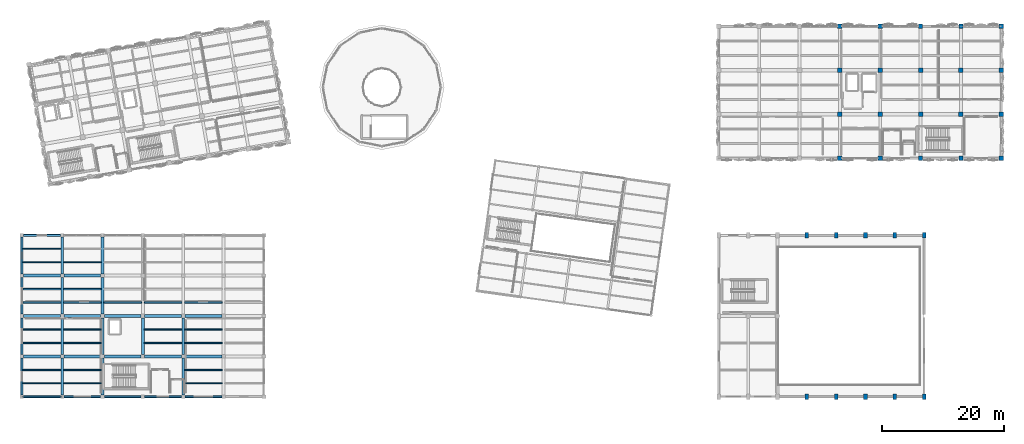
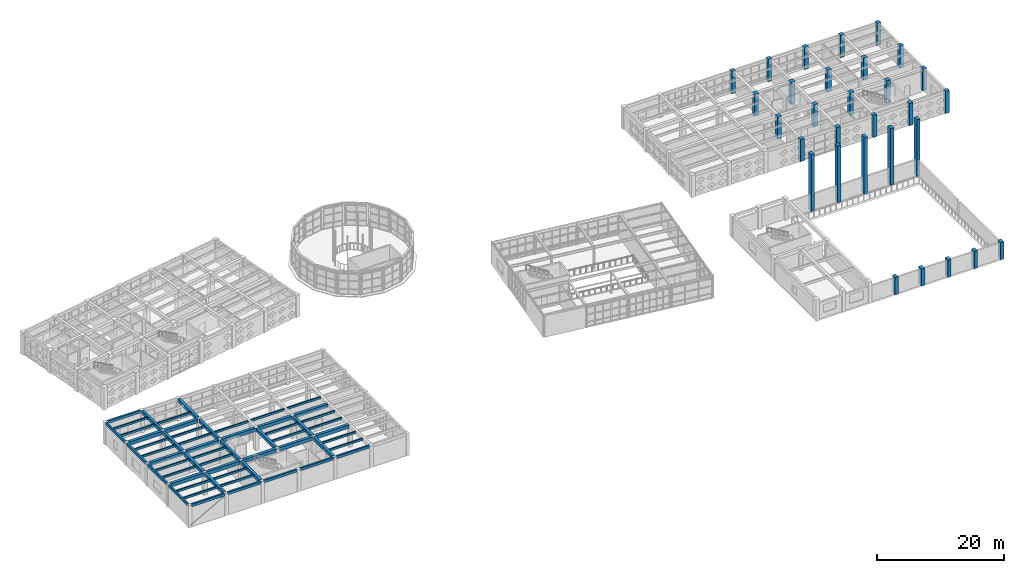
# One storey, part 10 of 80: 57 beams, 30 columns, 1 member.
"""IFC4 building model written with IfcOpenShell, lengths in metres."""

from ifc_helpers import new_model, si_unit, direction, frame, origin, origin_2d, place, context, subcontext, project, spatial, rectangle, hollow_rectangle, extrude, material, material_profile, profile_set, type_object, element, save


model = new_model("IFC4")

# Units and contexts
model_context = context("Model", 3, precision=1e-05, world=origin(), true_north=direction((0.0, 1.0)))
body_context = subcontext(model_context, "Body", "Model", "MODEL_VIEW")
ifc_project = project(units=[si_unit("LENGTHUNIT", "METRE"), si_unit("AREAUNIT", "SQUARE_METRE"), si_unit("VOLUMEUNIT", "CUBIC_METRE"), si_unit("PLANEANGLEUNIT", "RADIAN"), si_unit("MASSUNIT", "GRAM", prefix="KILO")], contexts=[model_context])

# Site, building, storey
site_placement = place(None, origin())
site = spatial("IfcSite", under=ifc_project, at=site_placement, CompositionType="ELEMENT")
building_placement = place(site_placement, origin())
building = spatial("IfcBuilding", under=site, at=building_placement, Name="Kharisveld Research Institute", CompositionType="ELEMENT")
storey_placement = place(building_placement, frame((0.0, 0.0, 5.10009765625)))
storey = spatial("IfcBuildingStorey", under=building, at=storey_placement, Name="L01", CompositionType="ELEMENT", Elevation=5.10009765625)

# Columns
ifc_material_1 = material(Name="Concrete C40/50", Category="concrete")
ifc_material_profile_1 = material_profile(ifc_material_1, rectangle(XDim=0.60009765625, YDim=0.89990234375, at=origin_2d()))
ifc_profile_set_1 = profile_set([ifc_material_profile_1], Name="Concrete C40/50")
column_type_1 = type_object("IfcColumnType", Name="COL_RC_600x900", PredefinedType="COLUMN", material=ifc_profile_set_1)
column_1_placement = place(storey_placement, frame((129.0, 0.199951171875, 0.0), z_axis=(0.0, 0.0, 1.0), x_axis=(1.0, 0.0, 0.0)))
element("IfcColumn", 1, at=column_1_placement, inside=storey, type_object=column_type_1, Name="COL:V5:L01:U3V0", PredefinedType="COLUMN", context=body_context, shape_type="SweptSolid", body=[
    extrude(rectangle(XDim=0.60009765625, YDim=0.89990234375, at=origin_2d()), origin(), (0.0, 0.0, 1.0), 3.31982421875),
])
column_2_placement = place(storey_placement, frame((129.0, 26.60009765625, 0.0), z_axis=(0.0, 0.0, 1.0), x_axis=(1.0, 0.0, 0.0)))
element("IfcColumn", 2, at=column_2_placement, inside=storey, type_object=column_type_1, Name="COL:V5:L01:U3V2", PredefinedType="COLUMN", context=body_context, shape_type="SweptSolid", body=[
    extrude(rectangle(XDim=0.60009765625, YDim=0.89990234375, at=origin_2d()), origin(), (0.0, 0.0, 1.0), 10.919921875),
])
column_3_placement = place(storey_placement, frame((133.800048828125, 0.199951171875, 0.0), z_axis=(0.0, 0.0, 1.0), x_axis=(1.0, 0.0, 0.0)))
element("IfcColumn", 3, at=column_3_placement, inside=storey, type_object=column_type_1, Name="COL:V5:L01:U4V0", PredefinedType="COLUMN", context=body_context, shape_type="SweptSolid", body=[
    extrude(rectangle(XDim=0.60009765625, YDim=0.89990234375, at=origin_2d()), origin(), (0.0, 0.0, 1.0), 3.31982421875),
])
column_4_placement = place(storey_placement, frame((133.800048828125, 26.60009765625, 0.0), z_axis=(0.0, 0.0, 1.0), x_axis=(1.0, 0.0, 0.0)))
element("IfcColumn", 4, at=column_4_placement, inside=storey, type_object=column_type_1, Name="COL:V5:L01:U4V2", PredefinedType="COLUMN", context=body_context, shape_type="SweptSolid", body=[
    extrude(rectangle(XDim=0.60009765625, YDim=0.89990234375, at=origin_2d()), origin(), (0.0, 0.0, 1.0), 10.919921875),
])
column_5_placement = place(storey_placement, frame((138.60009765625, 0.199951171875, 0.0), z_axis=(0.0, 0.0, 1.0), x_axis=(1.0, 0.0, 0.0)))
element("IfcColumn", 5, at=column_5_placement, inside=storey, type_object=column_type_1, Name="COL:V5:L01:U5V0", PredefinedType="COLUMN", context=body_context, shape_type="SweptSolid", body=[
    extrude(rectangle(XDim=0.60009765625, YDim=0.89990234375, at=origin_2d()), origin(), (0.0, 0.0, 1.0), 3.31982421875),
])
column_6_placement = place(storey_placement, frame((138.60009765625, 26.60009765625, 0.0), z_axis=(0.0, 0.0, 1.0), x_axis=(1.0, 0.0, 0.0)))
element("IfcColumn", 6, at=column_6_placement, inside=storey, type_object=column_type_1, Name="COL:V5:L01:U5V2", PredefinedType="COLUMN", context=body_context, shape_type="SweptSolid", body=[
    extrude(rectangle(XDim=0.60009765625, YDim=0.89990234375, at=origin_2d()), origin(), (0.0, 0.0, 1.0), 10.919921875),
])
column_7_placement = place(storey_placement, frame((143.39990234375, 0.199951171875, 0.0), z_axis=(0.0, 0.0, 1.0), x_axis=(1.0, 0.0, 0.0)))
element("IfcColumn", 7, at=column_7_placement, inside=storey, type_object=column_type_1, Name="COL:V5:L01:U6V0", PredefinedType="COLUMN", context=body_context, shape_type="SweptSolid", body=[
    extrude(rectangle(XDim=0.60009765625, YDim=0.89990234375, at=origin_2d()), origin(), (0.0, 0.0, 1.0), 3.31982421875),
])
column_8_placement = place(storey_placement, frame((143.39990234375, 26.60009765625, 0.0), z_axis=(0.0, 0.0, 1.0), x_axis=(1.0, 0.0, 0.0)))
element("IfcColumn", 8, at=column_8_placement, inside=storey, type_object=column_type_1, Name="COL:V5:L01:U6V2", PredefinedType="COLUMN", context=body_context, shape_type="SweptSolid", body=[
    extrude(rectangle(XDim=0.60009765625, YDim=0.89990234375, at=origin_2d()), origin(), (0.0, 0.0, 1.0), 10.919921875),
])
column_9_placement = place(storey_placement, frame((148.199951171875, 0.199951171875, 0.0), z_axis=(0.0, 0.0, 1.0), x_axis=(1.0, 0.0, 0.0)))
element("IfcColumn", 9, at=column_9_placement, inside=storey, type_object=column_type_1, Name="COL:V5:L01:U7V0", PredefinedType="COLUMN", context=body_context, shape_type="SweptSolid", body=[
    extrude(rectangle(XDim=0.60009765625, YDim=0.89990234375, at=origin_2d()), origin(), (0.0, 0.0, 1.0), 3.31982421875),
])
column_10_placement = place(storey_placement, frame((148.199951171875, 26.60009765625, 0.0), z_axis=(0.0, 0.0, 1.0), x_axis=(1.0, 0.0, 0.0)))
element("IfcColumn", 10, at=column_10_placement, inside=storey, type_object=column_type_1, Name="COL:V5:L01:U7V2", PredefinedType="COLUMN", context=body_context, shape_type="SweptSolid", body=[
    extrude(rectangle(XDim=0.60009765625, YDim=0.89990234375, at=origin_2d()), origin(), (0.0, 0.0, 1.0), 10.919921875),
])
ifc_material_2 = material(Name="Concrete C40/50", Category="concrete")
ifc_material_profile_2 = material_profile(ifc_material_2, rectangle(XDim=0.699951171875, YDim=0.699951171875, at=origin_2d()))
ifc_profile_set_2 = profile_set([ifc_material_profile_2], Name="Concrete C40/50")
column_type_2 = type_object("IfcColumnType", Name="COL_RC_700", PredefinedType="COLUMN", material=ifc_profile_set_2)
for number, where, z_axis, x_axis, name in (
    (11, (134.39990234375, 39.199951171875, 0.0), (0.0, 0.0, 1.0), (1.0, 0.0, 0.0), "COL:V2:L01:U3V0"),
    (12, (134.39990234375, 60.800048828125, 0.0), (0.0, 0.0, 1.0), (1.0, 0.0, 0.0), "COL:V2:L01:U3V3"),
    (13, (141.0, 39.199951171875, 0.0), (0.0, 0.0, 1.0), (1.0, 0.0, 0.0), "COL:V2:L01:U4V0"),
    (14, (141.0, 60.800048828125, 0.0), (0.0, 0.0, 1.0), (1.0, 0.0, 0.0), "COL:V2:L01:U4V3"),
    (15, (147.60009765625, 39.199951171875, 0.0), (0.0, 0.0, 1.0), (1.0, 0.0, 0.0), "COL:V2:L01:U5V0"),
    (16, (147.60009765625, 60.800048828125, 0.0), (0.0, 0.0, 1.0), (1.0, 0.0, 0.0), "COL:V2:L01:U5V3"),
    (17, (154.199951171875, 39.199951171875, 0.0), (0.0, 0.0, 1.0), (1.0, 0.0, 0.0), "COL:V2:L01:U6V0"),
    (18, (154.199951171875, 60.800048828125, 0.0), (0.0, 0.0, 1.0), (1.0, 0.0, 0.0), "COL:V2:L01:U6V3"),
    (19, (160.800048828125, 39.199951171875, 0.0), (0.0, 0.0, 1.0), (1.0, 0.0, 0.0), "COL:V2:L01:U7V0"),
    (20, (160.800048828125, 46.39990234375, 0.0), (0.0, 0.0, 1.0), (1.0, 0.0, 0.0), "COL:V2:L01:U7V1"),
    (21, (160.800048828125, 53.60009765625, 0.0), (0.0, 0.0, 1.0), (1.0, 0.0, 0.0), "COL:V2:L01:U7V2"),
    (22, (160.800048828125, 60.800048828125, 0.0), (0.0, 0.0, 1.0), (1.0, 0.0, 0.0), "COL:V2:L01:U7V3"),
):
    element("IfcColumn", number, at=place(storey_placement, frame(where, z_axis=z_axis, x_axis=x_axis)), inside=storey, type_object=column_type_2, Name=name, PredefinedType="COLUMN", context=body_context, shape_type="SweptSolid", body=[
        extrude(rectangle(XDim=0.699951171875, YDim=0.699951171875, at=origin_2d()), origin(), (0.0, 0.0, 1.0), 4.289794921875),
    ])
ifc_material_3 = material(Name="Concrete C50/60", Category="concrete")
ifc_material_profile_3 = material_profile(ifc_material_3, rectangle(XDim=0.75, YDim=0.75, at=origin_2d()))
ifc_profile_set_3 = profile_set([ifc_material_profile_3], Name="Concrete C50/60")
column_type_3 = type_object("IfcColumnType", Name="COL_RC_750", PredefinedType="COLUMN", material=ifc_profile_set_3)
for number, where, z_axis, x_axis, name in (
    (23, (134.39990234375, 46.39990234375, 0.0), (0.0, 0.0, 1.0), (1.0, 0.0, 0.0), "COL:V2:L01:U3V1"),
    (24, (134.39990234375, 53.60009765625, 0.0), (0.0, 0.0, 1.0), (1.0, 0.0, 0.0), "COL:V2:L01:U3V2"),
    (25, (141.0, 46.39990234375, 0.0), (0.0, 0.0, 1.0), (1.0, 0.0, 0.0), "COL:V2:L01:U4V1"),
    (26, (141.0, 53.60009765625, 0.0), (0.0, 0.0, 1.0), (1.0, 0.0, 0.0), "COL:V2:L01:U4V2"),
    (27, (147.60009765625, 46.39990234375, 0.0), (0.0, 0.0, 1.0), (1.0, 0.0, 0.0), "COL:V2:L01:U5V1"),
    (28, (147.60009765625, 53.60009765625, 0.0), (0.0, 0.0, 1.0), (1.0, 0.0, 0.0), "COL:V2:L01:U5V2"),
    (29, (154.199951171875, 46.39990234375, 0.0), (0.0, 0.0, 1.0), (1.0, 0.0, 0.0), "COL:V2:L01:U6V1"),
    (30, (154.199951171875, 53.60009765625, 0.0), (0.0, 0.0, 1.0), (1.0, 0.0, 0.0), "COL:V2:L01:U6V2"),
):
    element("IfcColumn", number, at=place(storey_placement, frame(where, z_axis=z_axis, x_axis=x_axis)), inside=storey, type_object=column_type_3, Name=name, PredefinedType="COLUMN", context=body_context, shape_type="SweptSolid", body=[
        extrude(rectangle(XDim=0.75, YDim=0.75, at=origin_2d()), origin(), (0.0, 0.0, 1.0), 4.289794921875),
    ])

# Beams
ifc_material_4 = material(Name="Concrete C40/50", Category="concrete")
ifc_material_profile_4 = material_profile(ifc_material_4, rectangle(XDim=0.449951171875, YDim=0.64990234375, at=origin_2d()))
ifc_profile_set_4 = profile_set([ifc_material_profile_4], Name="Concrete C40/50")
beam_type_1 = type_object("IfcBeamType", Name="BM_RC_450x650", PredefinedType="BEAM", material=ifc_profile_set_4)
for number, where, z_axis, x_axis, name in (
    (31, (7.199951171875, 0.5, 3.974853515625), (0.0, 1.0, 0.0), (-1.0, 0.0, 0.0), "BM:V3:L01:V1_0"),
    (32, (7.199951171875, 7.10009765625, 3.974853515625), (0.0, 1.0, 0.0), (-1.0, 0.0, 0.0), "BM:V3:L01:V1_1"),
    (33, (7.199951171875, 13.699951171875, 3.974853515625), (0.0, 1.0, 0.0), (-1.0, 0.0, 0.0), "BM:V3:L01:V1_2"),
    (34, (7.199951171875, 20.300048828125, 3.974853515625), (0.0, 1.0, 0.0), (-1.0, 0.0, 0.0), "BM:V3:L01:V1_3"),
    (35, (13.800048828125, 0.5, 3.974853515625), (0.0, 1.0, 0.0), (-1.0, 0.0, 0.0), "BM:V3:L01:V2_0"),
    (36, (13.800048828125, 7.10009765625, 3.974853515625), (0.0, 1.0, 0.0), (-1.0, 0.0, 0.0), "BM:V3:L01:V2_1"),
    (37, (13.800048828125, 13.699951171875, 3.974853515625), (0.0, 1.0, 0.0), (-1.0, 0.0, 0.0), "BM:V3:L01:V2_2"),
    (38, (13.800048828125, 20.300048828125, 3.974853515625), (0.0, 1.0, 0.0), (-1.0, 0.0, 0.0), "BM:V3:L01:V2_3"),
    (39, (20.39990234375, 7.10009765625, 3.974853515625), (0.0, 1.0, 0.0), (-1.0, 0.0, 0.0), "BM:V3:L01:V3_1"),
    (40, (27.0, 0.5, 3.974853515625), (0.0, 1.0, 0.0), (-1.0, 0.0, 0.0), "BM:V3:L01:V4_0"),
    (41, (27.0, 7.10009765625, 3.974853515625), (0.0, 1.0, 0.0), (-1.0, 0.0, 0.0), "BM:V3:L01:V4_1"),
):
    element("IfcBeam", number, at=place(storey_placement, frame(where, z_axis=z_axis, x_axis=x_axis)), inside=storey, type_object=beam_type_1, Name=name, PredefinedType="BEAM", context=body_context, shape_type="SweptSolid", body=[
        extrude(rectangle(XDim=0.449951171875, YDim=0.64990234375, at=origin_2d()), origin(), (0.0, 0.0, 1.0), 6.0),
    ])
ifc_material_5 = material(Name="Concrete C40/50", Category="concrete")
ifc_material_profile_5 = material_profile(ifc_material_5, rectangle(XDim=0.5, YDim=0.64990234375, at=origin_2d()))
ifc_profile_set_5 = profile_set([ifc_material_profile_5], Name="Concrete C40/50")
beam_type_2 = type_object("IfcBeamType", Name="BM_RC_500x650", PredefinedType="BEAM", material=ifc_profile_set_5)
for number, where, z_axis, x_axis, name in (
    (42, (0.89990234375, 6.800048828125, 3.974853515625), (1.0, 0.0, 0.0), (0.0, 1.0, 0.0), "BM:V3:L01:U0_1"),
    (43, (7.5, 6.800048828125, 3.974853515625), (1.0, 0.0, 0.0), (0.0, 1.0, 0.0), "BM:V3:L01:U1_1"),
    (44, (14.10009765625, 6.800048828125, 3.974853515625), (1.0, 0.0, 0.0), (0.0, 1.0, 0.0), "BM:V3:L01:U2_1"),
    (45, (20.699951171875, 6.800048828125, 3.974853515625), (1.0, 0.0, 0.0), (0.0, 1.0, 0.0), "BM:V3:L01:U3_1"),
    (46, (27.300048828125, 6.800048828125, 3.974853515625), (1.0, 0.0, 0.0), (0.0, 1.0, 0.0), "BM:V3:L01:U4_1"),
    (47, (0.89990234375, 13.39990234375, 3.974853515625), (1.0, 0.0, 0.0), (0.0, 1.0, 0.0), "BM:V3:L01:U0_2"),
    (48, (7.5, 13.39990234375, 3.974853515625), (1.0, 0.0, 0.0), (0.0, 1.0, 0.0), "BM:V3:L01:U1_2"),
    (49, (14.10009765625, 13.39990234375, 3.974853515625), (1.0, 0.0, 0.0), (0.0, 1.0, 0.0), "BM:V3:L01:U2_2"),
    (50, (20.699951171875, 13.39990234375, 3.974853515625), (1.0, 0.0, 0.0), (0.0, 1.0, 0.0), "BM:V3:L01:U3_2"),
    (51, (27.300048828125, 13.39990234375, 3.974853515625), (1.0, 0.0, 0.0), (0.0, 1.0, 0.0), "BM:V3:L01:U4_2"),
    (52, (0.89990234375, 20.0, 3.974853515625), (1.0, 0.0, 0.0), (0.0, 1.0, 0.0), "BM:V3:L01:U0_3"),
    (53, (7.5, 20.0, 3.974853515625), (1.0, 0.0, 0.0), (0.0, 1.0, 0.0), "BM:V3:L01:U1_3"),
):
    element("IfcBeam", number, at=place(storey_placement, frame(where, z_axis=z_axis, x_axis=x_axis)), inside=storey, type_object=beam_type_2, Name=name, PredefinedType="BEAM", context=body_context, shape_type="SweptSolid", body=[
        extrude(rectangle(XDim=0.5, YDim=0.64990234375, at=origin_2d()), origin(), (0.0, 0.0, 1.0), 6.0),
    ])

# Member
ifc_material_6 = material(Name="Steel S355J2H", Category="steel")
ifc_material_profile_6 = material_profile(ifc_material_6, hollow_rectangle(XDim=0.14990234375, YDim=0.14990234375, WallThickness=0.008056640625, at=origin_2d()))
ifc_profile_set_6 = profile_set([ifc_material_profile_6], Name="Steel S355J2H")
member_type = type_object("IfcMemberType", Name="BR_SHS150", PredefinedType="BRACE", material=ifc_profile_set_6)
member_placement = place(storey_placement, frame((0.699951171875, 0.199951171875, 0.199951171875), z_axis=(0.874481220931, 0.0, 0.48505937187), x_axis=(0.0, 1.0, 0.0)))
element("IfcMember", 54, at=member_placement, inside=storey, type_object=member_type, Name="MEM:V3:L01:BR_0_0", PredefinedType="BRACE", context=body_context, shape_type="SweptSolid", body=[
    extrude(hollow_rectangle(XDim=0.14990234375, YDim=0.14990234375, WallThickness=0.008056640625, at=origin_2d()), origin(), (0.0, 0.0, 1.0), 7.31884765625),
])

# Beams
ifc_material_7 = material(Name="Concrete C40/50", Category="concrete")
ifc_material_profile_7 = material_profile(ifc_material_7, rectangle(XDim=0.300048828125, YDim=0.5, at=origin_2d()))
ifc_profile_set_7 = profile_set([ifc_material_profile_7], Name="Concrete C40/50")
beam_type_3 = type_object("IfcBeamType", Name="SP_RC_300x500", PredefinedType="SPANDREL", material=ifc_profile_set_7)
for number, where, z_axis, x_axis, name in (
    (55, (0.89990234375, 0.199951171875, 4.0498046875), (1.0, 0.0, 0.0), (0.0, 1.0, 0.0), "BM:V3:L01:U0_0"),
    (56, (7.5, 0.199951171875, 4.0498046875), (1.0, 0.0, 0.0), (0.0, 1.0, 0.0), "BM:V3:L01:U1_0"),
    (57, (14.10009765625, 0.199951171875, 4.0498046875), (1.0, 0.0, 0.0), (0.0, 1.0, 0.0), "BM:V3:L01:U2_0"),
    (58, (20.699951171875, 0.199951171875, 4.0498046875), (1.0, 0.0, 0.0), (0.0, 1.0, 0.0), "BM:V3:L01:U3_0"),
    (59, (27.300048828125, 0.199951171875, 4.0498046875), (1.0, 0.0, 0.0), (0.0, 1.0, 0.0), "BM:V3:L01:U4_0"),
    (60, (0.89990234375, 26.60009765625, 4.0498046875), (1.0, 0.0, 0.0), (0.0, 1.0, 0.0), "BM:V3:L01:U0_4"),
    (61, (0.60009765625, 0.5, 4.0498046875), (0.0, 1.0, 0.0), (-1.0, 0.0, 0.0), "BM:V3:L01:V0_0"),
    (62, (0.60009765625, 7.10009765625, 4.0498046875), (0.0, 1.0, 0.0), (-1.0, 0.0, 0.0), "BM:V3:L01:V0_1"),
    (63, (0.60009765625, 13.699951171875, 4.0498046875), (0.0, 1.0, 0.0), (-1.0, 0.0, 0.0), "BM:V3:L01:V0_2"),
    (64, (0.60009765625, 20.300048828125, 4.0498046875), (0.0, 1.0, 0.0), (-1.0, 0.0, 0.0), "BM:V3:L01:V0_3"),
):
    element("IfcBeam", number, at=place(storey_placement, frame(where, z_axis=z_axis, x_axis=x_axis)), inside=storey, type_object=beam_type_3, Name=name, PredefinedType="SPANDREL", context=body_context, shape_type="SweptSolid", body=[
        extrude(rectangle(XDim=0.300048828125, YDim=0.5, at=origin_2d()), origin(), (0.0, 0.0, 1.0), 6.0),
    ])
ifc_material_8 = material(Name="Concrete C40/50", Category="concrete")
ifc_material_profile_8 = material_profile(ifc_material_8, rectangle(XDim=0.219970703125, YDim=0.39990234375, at=origin_2d()))
ifc_profile_set_8 = profile_set([ifc_material_profile_8], Name="Concrete C40/50")
beam_type_4 = type_object("IfcBeamType", Name="WB_RC_220x400", PredefinedType="JOIST", material=ifc_profile_set_8)
for number, where, z_axis, x_axis, name in (
    (65, (0.75, 2.39990234375, 4.099853515625), (1.0, 0.0, 0.0), (0.0, 1.0, 0.0), "BM:V3:L01:J_0_0_R1"),
    (66, (0.75, 4.60009765625, 4.099853515625), (1.0, 0.0, 0.0), (0.0, 1.0, 0.0), "BM:V3:L01:J_0_0_R2"),
    (67, (0.75, 9.0, 4.099853515625), (1.0, 0.0, 0.0), (0.0, 1.0, 0.0), "BM:V3:L01:J_0_1_R1"),
    (68, (0.75, 11.199951171875, 4.099853515625), (1.0, 0.0, 0.0), (0.0, 1.0, 0.0), "BM:V3:L01:J_0_1_R2"),
    (69, (0.75, 15.60009765625, 4.099853515625), (1.0, 0.0, 0.0), (0.0, 1.0, 0.0), "BM:V3:L01:J_0_2_R1"),
    (70, (0.75, 17.800048828125, 4.099853515625), (1.0, 0.0, 0.0), (0.0, 1.0, 0.0), "BM:V3:L01:J_0_2_R2"),
    (71, (0.75, 22.199951171875, 4.099853515625), (1.0, 0.0, 0.0), (0.0, 1.0, 0.0), "BM:V3:L01:J_0_3_R1"),
    (72, (0.75, 24.39990234375, 4.099853515625), (1.0, 0.0, 0.0), (0.0, 1.0, 0.0), "BM:V3:L01:J_0_3_R2"),
):
    element("IfcBeam", number, at=place(storey_placement, frame(where, z_axis=z_axis, x_axis=x_axis)), inside=storey, type_object=beam_type_4, Name=name, PredefinedType="JOIST", context=body_context, shape_type="SweptSolid", body=[
        extrude(rectangle(XDim=0.219970703125, YDim=0.39990234375, at=origin_2d()), origin(), (0.0, 0.0, 1.0), 6.22509765625),
    ])
for number, where, z_axis, x_axis, name in (
    (73, (7.425048828125, 2.39990234375, 4.099853515625), (1.0, 0.0, 0.0), (0.0, 1.0, 0.0), "BM:V3:L01:J_1_0_R1"),
    (74, (7.425048828125, 4.60009765625, 4.099853515625), (1.0, 0.0, 0.0), (0.0, 1.0, 0.0), "BM:V3:L01:J_1_0_R2"),
    (75, (7.425048828125, 9.0, 4.099853515625), (1.0, 0.0, 0.0), (0.0, 1.0, 0.0), "BM:V3:L01:J_1_1_R1"),
    (76, (7.425048828125, 11.199951171875, 4.099853515625), (1.0, 0.0, 0.0), (0.0, 1.0, 0.0), "BM:V3:L01:J_1_1_R2"),
    (77, (7.425048828125, 15.60009765625, 4.099853515625), (1.0, 0.0, 0.0), (0.0, 1.0, 0.0), "BM:V3:L01:J_1_2_R1"),
    (78, (7.425048828125, 17.800048828125, 4.099853515625), (1.0, 0.0, 0.0), (0.0, 1.0, 0.0), "BM:V3:L01:J_1_2_R2"),
    (79, (7.425048828125, 22.199951171875, 4.099853515625), (1.0, 0.0, 0.0), (0.0, 1.0, 0.0), "BM:V3:L01:J_1_3_R1"),
):
    element("IfcBeam", number, at=place(storey_placement, frame(where, z_axis=z_axis, x_axis=x_axis)), inside=storey, type_object=beam_type_4, Name=name, PredefinedType="JOIST", context=body_context, shape_type="SweptSolid", body=[
        extrude(rectangle(XDim=0.219970703125, YDim=0.39990234375, at=origin_2d()), origin(), (0.0, 0.0, 1.0), 6.14990234375),
    ])
beam_placement = place(storey_placement, frame((14.02490234375, 15.60009765625, 4.099853515625), z_axis=(1.0, 0.0, 0.0), x_axis=(0.0, 1.0, 0.0)))
element("IfcBeam", 80, at=beam_placement, inside=storey, type_object=beam_type_4, Name="BM:V3:L01:J_2_2_R1", PredefinedType="JOIST", context=body_context, shape_type="SweptSolid", body=[
    extrude(rectangle(XDim=0.219970703125, YDim=0.39990234375, at=origin_2d()), origin(), (0.0, 0.0, 1.0), 6.150146484375),
])
for number, where, z_axis, x_axis, name in (
    (81, (20.625, 9.0, 4.099853515625), (1.0, 0.0, 0.0), (0.0, 1.0, 0.0), "BM:V3:L01:J_3_1_R1"),
    (82, (20.625, 11.199951171875, 4.099853515625), (1.0, 0.0, 0.0), (0.0, 1.0, 0.0), "BM:V3:L01:J_3_1_R2"),
    (83, (20.625, 15.60009765625, 4.099853515625), (1.0, 0.0, 0.0), (0.0, 1.0, 0.0), "BM:V3:L01:J_3_2_R1"),
    (84, (27.22509765625, 2.39990234375, 4.099853515625), (1.0, 0.0, 0.0), (0.0, 1.0, 0.0), "BM:V3:L01:J_4_0_R1"),
    (85, (27.22509765625, 4.60009765625, 4.099853515625), (1.0, 0.0, 0.0), (0.0, 1.0, 0.0), "BM:V3:L01:J_4_0_R2"),
    (86, (27.22509765625, 9.0, 4.099853515625), (1.0, 0.0, 0.0), (0.0, 1.0, 0.0), "BM:V3:L01:J_4_1_R1"),
    (87, (27.22509765625, 11.199951171875, 4.099853515625), (1.0, 0.0, 0.0), (0.0, 1.0, 0.0), "BM:V3:L01:J_4_1_R2"),
    (88, (27.22509765625, 15.60009765625, 4.099853515625), (1.0, 0.0, 0.0), (0.0, 1.0, 0.0), "BM:V3:L01:J_4_2_R1"),
):
    element("IfcBeam", number, at=place(storey_placement, frame(where, z_axis=z_axis, x_axis=x_axis)), inside=storey, type_object=beam_type_4, Name=name, PredefinedType="JOIST", context=body_context, shape_type="SweptSolid", body=[
        extrude(rectangle(XDim=0.219970703125, YDim=0.39990234375, at=origin_2d()), origin(), (0.0, 0.0, 1.0), 6.14990234375),
    ])

save(model, "model.ifc")
